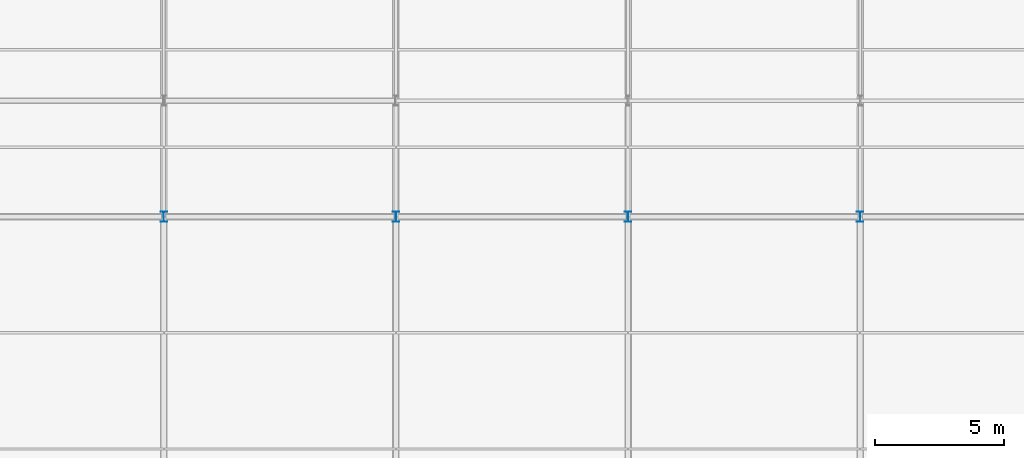
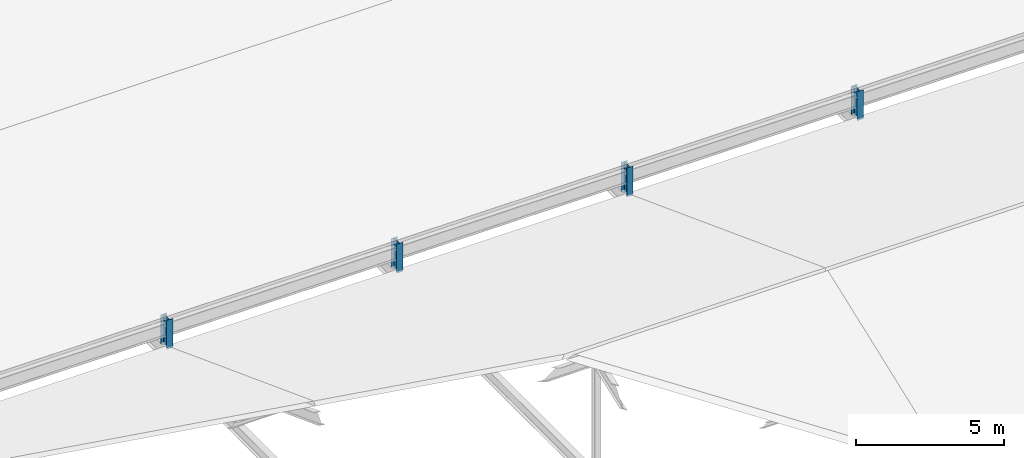
# One storey, part 3 of 163: 4 columns.
"""IFC4 building model written with IfcOpenShell, lengths in metres."""

import ifcopenshell
import ifcopenshell.guid

model = None  # the IFC model being written
_history = None  # IfcOwnerHistory: only IFC2X3 demands one
_inside = {}  # id of a spatial element -> (the spatial element, [elements in it])
_under = {}  # id of a project, library or spatial element -> (it, [spatial elements below it])
_declared = {}  # id of a project -> (the project, [libraries it declares])
_typed = {}  # id of a type object -> (the type object, [elements of that type])
_made_of = {}  # id of a material, layer set ... -> (it, [elements and type objects made of it])


def new_model(schema):
    """Start an empty IFC model of exactly this schema.

    Asked for "IFC4X3", IfcOpenShell would pick the latest addendum, in which some entities
    have other attributes; the version numbers below select the first issue.
    IFC2X3 requires an IfcOwnerHistory on every rooted entity: one is made here for all.
    """
    global model, _history
    if schema == "IFC4X3":
        model = ifcopenshell.file(schema_version=(4, 3, 0, 0))
    else:
        model = ifcopenshell.file(schema=schema)
    _inside.clear()
    _under.clear()
    _declared.clear()
    _typed.clear()
    _made_of.clear()
    _history = None
    if model.schema == "IFC2X3":
        org = make("IfcOrganization", Name="unknown")
        user = make(
            "IfcPersonAndOrganization",
            ThePerson=make("IfcPerson", FamilyName="unknown"),
            TheOrganization=org,
        )
        app = make(
            "IfcApplication",
            ApplicationDeveloper=org,
            Version="unknown",
            ApplicationFullName="unknown",
            ApplicationIdentifier="unknown",
        )
        _history = make(
            "IfcOwnerHistory",
            OwningUser=user,
            OwningApplication=app,
            ChangeAction="ADDED",
            CreationDate=0,
        )
    return model


def make(cls, **values):
    """One entity of the class cls with the attributes given. An attribute that is None is left unset."""
    return model.create_entity(
        cls, **{name: value for name, value in values.items() if value is not None}
    )


def rooted(cls, **values):
    """An entity with a GlobalId (a new one), such as an element, a storey or a relation."""
    return make(cls, GlobalId=ifcopenshell.guid.new(), OwnerHistory=_history, **values)


def si_unit(unit_type, name, prefix=None):
    """IfcSIUnit, for example si_unit("LENGTHUNIT", "METRE", prefix="MILLI")."""
    return make("IfcSIUnit", UnitType=unit_type, Prefix=prefix, Name=name)


def assignment(units):
    """IfcUnitAssignment: the units of a project."""
    return None if units is None else make("IfcUnitAssignment", Units=units)


def point(xyz):
    """IfcCartesianPoint."""
    return None if xyz is None else make("IfcCartesianPoint", Coordinates=xyz)


def direction(xyz):
    """IfcDirection."""
    return None if xyz is None else make("IfcDirection", DirectionRatios=xyz)


def frame(location, z_axis=None, x_axis=None):
    """IfcAxis2Placement3D, a coordinate frame: its origin and axes. An axis left out is left unset."""
    return make(
        "IfcAxis2Placement3D",
        Location=point(location),
        Axis=direction(z_axis),
        RefDirection=direction(x_axis),
    )


def frame_2d(location, x_axis=None):
    """IfcAxis2Placement2D, a coordinate frame in the plane: its origin and x axis."""
    return make(
        "IfcAxis2Placement2D", Location=point(location), RefDirection=direction(x_axis)
    )


def origin():
    """The frame at (0, 0, 0) with its axes left unset."""
    return frame((0.0, 0.0, 0.0))


def origin_2d():
    """The frame at (0, 0) in the plane with its x axis left unset."""
    return frame_2d((0.0, 0.0))


def place(relative_to, where):
    """IfcLocalPlacement: puts the frame where relative to a parent placement (None: the world)."""
    return make(
        "IfcLocalPlacement", PlacementRelTo=relative_to, RelativePlacement=where
    )


def context(
    kind, dimensions, precision=None, world=None, true_north=None, identifier=None
):
    """IfcGeometricRepresentationContext, for example the 3D "Model" context."""
    return make(
        "IfcGeometricRepresentationContext",
        ContextIdentifier=identifier,
        ContextType=kind,
        CoordinateSpaceDimension=dimensions,
        Precision=precision,
        WorldCoordinateSystem=world,
        TrueNorth=true_north,
    )


def subcontext(parent, identifier, kind, view, scale=None):
    """IfcGeometricRepresentationSubContext, for example "Body" below "Model"."""
    return make(
        "IfcGeometricRepresentationSubContext",
        ContextIdentifier=identifier,
        ContextType=kind,
        ParentContext=parent,
        TargetScale=scale,
        TargetView=view,
    )


def project(units=None, contexts=None):
    """IfcProject with its units and contexts."""
    return rooted(
        "IfcProject",
        Name="project",
        RepresentationContexts=contexts,
        UnitsInContext=assignment(units),
    )


def spatial(cls, under=None, at=None, **own):
    """A site, building, storey or space (cls), placed at a placement, below another one or the project."""
    s = rooted(cls, ObjectPlacement=at, **own)
    if under is not None:
        _under.setdefault(under.id(), (under, []))[1].append(s)
    return s


def profile(cls, at=None, kind="AREA", **sizes):
    """A parametric profile (cls). Its sizes go by their IFC names, for example OverallWidth=200.0."""
    return make(cls, ProfileType=kind, Position=at, **sizes)


def i_section(**sizes):
    """IfcIShapeProfileDef."""
    return profile("IfcIShapeProfileDef", **sizes)


def extrude(swept, where, along, depth):
    """IfcExtrudedAreaSolid: the profile swept, set in the frame where, extruded along a direction by depth."""
    return make(
        "IfcExtrudedAreaSolid",
        SweptArea=swept,
        Position=where,
        ExtrudedDirection=direction(along),
        Depth=depth,
    )


def shape(context_of_items, identifier, shape_type, items):
    """IfcShapeRepresentation: the items that make up one representation, for example the "Body"."""
    return make(
        "IfcShapeRepresentation",
        ContextOfItems=context_of_items,
        RepresentationIdentifier=identifier,
        RepresentationType=shape_type,
        Items=items,
    )


def material(Name=None, Category=None):
    """IfcMaterial."""
    return make("IfcMaterial", Name=Name, Category=Category)


def material_profile(
    of_material, cross_section, Name=None, Category=None, Priority=None
):
    """IfcMaterialProfile: a cross section and its material."""
    return make(
        "IfcMaterialProfile",
        Name=Name,
        Material=of_material,
        Profile=cross_section,
        Priority=Priority,
        Category=Category,
    )


def profile_set(profiles, Name=None, composite=None):
    """IfcMaterialProfileSet."""
    return make(
        "IfcMaterialProfileSet",
        Name=Name,
        MaterialProfiles=profiles,
        CompositeProfile=composite,
    )


def made_of(thing, what):
    """Note that an element or type object is made of a material, layer set ...; save() writes the relation."""
    if what is not None:
        _made_of.setdefault(what.id(), (what, []))[1].append(thing)
    return thing


def type_object(cls, material=None, **own):
    """A type object (cls), such as IfcWallType, which elements share."""
    return made_of(rooted(cls, **own), material)


def element(
    cls,
    number,
    at=None,
    inside=None,
    cuts=None,
    type_object=None,
    material=None,
    context=None,
    identifier="Body",
    shape_type=None,
    held_by="IfcProductDefinitionShape",
    body=None,
    shapes=None,
    **own,
):
    """One element of the class cls, such as IfcWall. Its Tag is "e" and its number.

    at: its placement. inside: the storey or other place that contains it. cuts: it is an
    opening in that element (IfcRelVoidsElement). A single representation is given by context,
    identifier, shape_type and body (its items); several are given by shapes. held_by: the class
    of the entity that holds the representations. save() writes the other relations.
    """
    e = rooted(cls, Tag="e%d" % number, ObjectPlacement=at, **own)
    if body is not None:
        shapes = [shape(context, identifier, shape_type, body)]
    if shapes is not None:
        e.Representation = make(held_by, Representations=shapes)
    if inside is not None:
        _inside.setdefault(inside.id(), (inside, []))[1].append(e)
    if cuts is not None:
        rooted(
            "IfcRelVoidsElement", RelatingBuildingElement=cuts, RelatedOpeningElement=e
        )
    if type_object is not None:
        _typed.setdefault(type_object.id(), (type_object, []))[1].append(e)
    return made_of(e, material)


def aggregate(whole, parts):
    """IfcRelAggregates: a whole, such as a stair, and the parts it consists of."""
    return rooted("IfcRelAggregates", RelatingObject=whole, RelatedObjects=parts)


def save(model, path):
    """Write the relations noted so far, then the file.

    IfcRelAggregates (storeys below a building ...), IfcRelContainedInSpatialStructure (elements
    in a storey), IfcRelDefinesByType, IfcRelAssociatesMaterial and IfcRelDeclares: one each for
    every whole, place, type object, material and project.
    """
    for whole, parts in _under.values():
        aggregate(whole, parts)
    for where, things in _inside.values():
        rooted(
            "IfcRelContainedInSpatialStructure",
            RelatedElements=things,
            RelatingStructure=where,
        )
    for kind, things in _typed.values():
        rooted("IfcRelDefinesByType", RelatedObjects=things, RelatingType=kind)
    for what, things in _made_of.values():
        rooted("IfcRelAssociatesMaterial", RelatedObjects=things, RelatingMaterial=what)
    for by, libraries in _declared.values():
        rooted("IfcRelDeclares", RelatingContext=by, RelatedDefinitions=libraries)
    model.write(path)


model = new_model("IFC4")

# Units and contexts
model_context = context("Model", 3, precision=1e-05, world=origin(), true_north=direction((0.0, 1.0)))
body_context = subcontext(model_context, "Body", "Model", "MODEL_VIEW")
ifc_project = project(units=[si_unit("LENGTHUNIT", "METRE"), si_unit("AREAUNIT", "SQUARE_METRE"), si_unit("VOLUMEUNIT", "CUBIC_METRE"), si_unit("PLANEANGLEUNIT", "RADIAN"), si_unit("MASSUNIT", "GRAM", prefix="KILO")], contexts=[model_context])

# Site, building, storey
site_placement = place(None, origin())
site = spatial("IfcSite", under=ifc_project, at=site_placement, CompositionType="ELEMENT")
building_placement = place(site_placement, origin())
building = spatial("IfcBuilding", under=site, at=building_placement, Name="Tharagai Park Tramway Depot", CompositionType="ELEMENT")
storey_placement = place(building_placement, frame((0.0, 0.0, 8.39990234375)))
storey = spatial("IfcBuildingStorey", under=building, at=storey_placement, Name="L02", CompositionType="ELEMENT", Elevation=8.39990234375)

# Columns
ifc_material = material(Name="Steel E350", Category="steel")
ifc_material_profile = material_profile(ifc_material, i_section(OverallWidth=0.25, OverallDepth=0.39990234375, WebThickness=0.010498046875, FlangeThickness=0.0126953125, FilletRadius=0.013916015625, at=origin_2d()), Name="ISHB 400")
ifc_profile_set = profile_set([ifc_material_profile], Name="Steel E350")
column_type = type_object("IfcColumnType", Name="CL-06", PredefinedType="COLUMN", material=ifc_profile_set)
for number, where, z_axis, x_axis, name in (
    (1, (36.0, 90.0, 0.0), (0.0, 0.0, 1.0), (1.0, 0.0, 0.0), "Shed Roof Stanchion CL-06 (36,90)"),
    (2, (45.0, 90.0, 0.0), (0.0, 0.0, 1.0), (1.0, 0.0, 0.0), "Shed Roof Stanchion CL-06 (45,90)"),
    (3, (54.0, 90.0, 0.0), (0.0, 0.0, 1.0), (1.0, 0.0, 0.0), "Shed Roof Stanchion CL-06 (54,90)"),
    (4, (63.0, 90.0, 0.0), (0.0, 0.0, 1.0), (1.0, 0.0, 0.0), "Shed Roof Stanchion CL-06 (63,90)"),
):
    element("IfcColumn", number, at=place(storey_placement, frame(where, z_axis=z_axis, x_axis=x_axis)), inside=storey, type_object=column_type, Name=name, PredefinedType="COLUMN", context=body_context, shape_type="SweptSolid", body=[
        extrude(i_section(OverallWidth=0.25, OverallDepth=0.39990234375, WebThickness=0.010498046875, FlangeThickness=0.0126953125, FilletRadius=0.013916015625, at=origin_2d()), origin(), (0.0, 0.0, 1.0), 1.2001953125),
    ])

save(model, "model.ifc")
